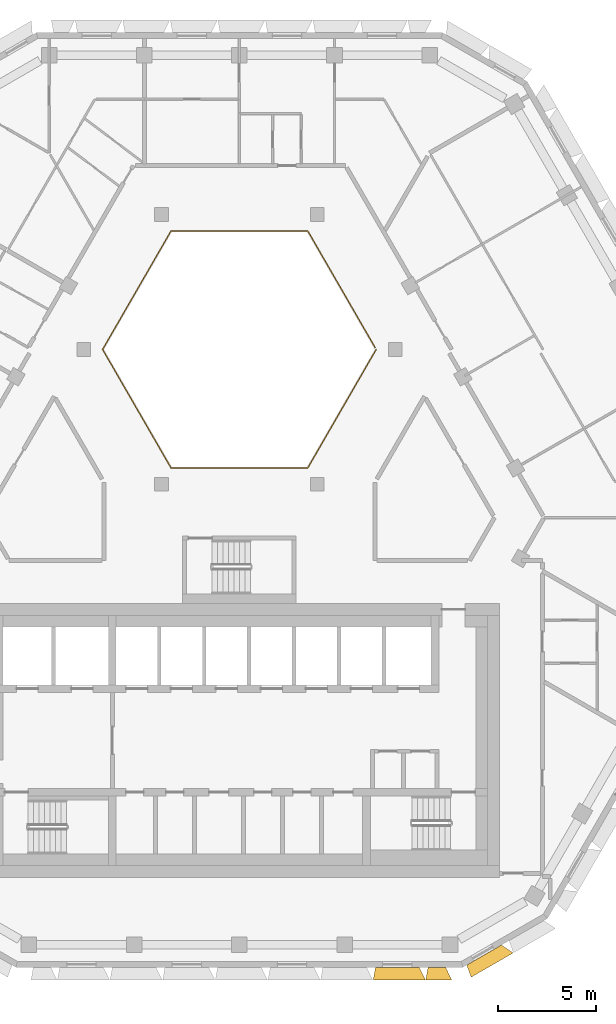
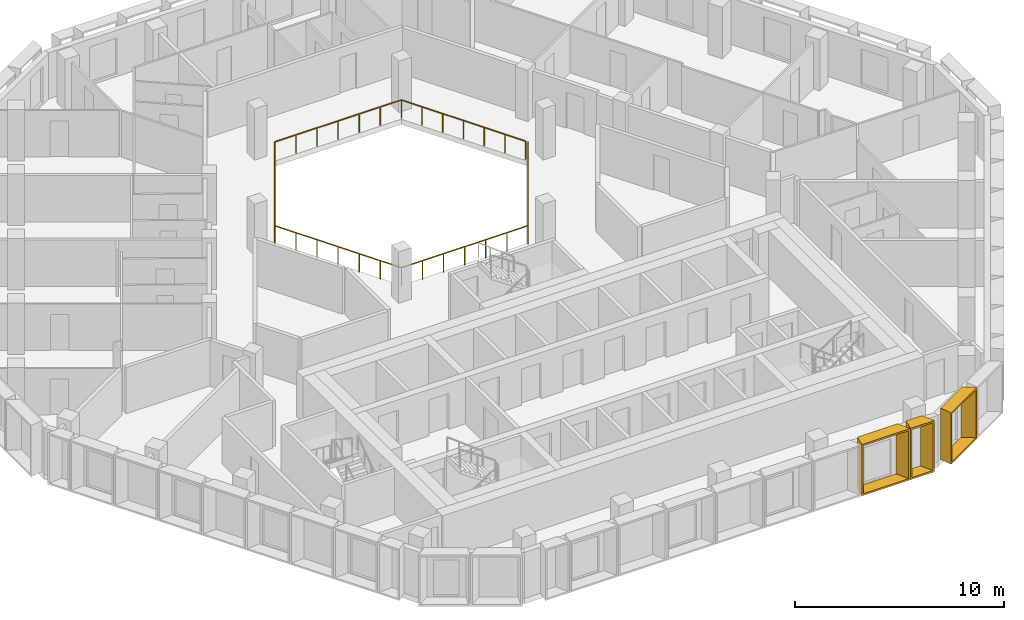
# One storey, part 13 of 15: 3 shading devices, 1 railing.
"""IFC4 building model written with IfcOpenShell, lengths in metres."""

from ifc_helpers import new_model, entity, si_unit, direction, frame, origin, origin_2d, place, context, subcontext, project, spatial, rectangle, extrude, source, transform, mapped, material, type_object, type_shapes, element, save


model = new_model("IFC4")

# Units and contexts
model_context = context("Model", 3, precision=1e-05, world=origin(), true_north=direction((0.0, 1.0)))
body_context = subcontext(model_context, "Body", "Model", "MODEL_VIEW")
ifc_project = project(units=[si_unit("LENGTHUNIT", "METRE"), si_unit("AREAUNIT", "SQUARE_METRE"), si_unit("VOLUMEUNIT", "CUBIC_METRE"), si_unit("PLANEANGLEUNIT", "RADIAN"), si_unit("MASSUNIT", "GRAM", prefix="KILO")], contexts=[model_context])

# Site, building, storey
site_placement = place(None, origin())
site = spatial("IfcSite", under=ifc_project, at=site_placement, CompositionType="ELEMENT")
building_placement = place(site_placement, origin())
building = spatial("IfcBuilding", under=site, at=building_placement, Name="Beryl Residences", CompositionType="ELEMENT")
storey_placement = place(building_placement, frame((0.0, 0.0, 175.199951171875)))
storey = spatial("IfcBuildingStorey", under=building, at=storey_placement, Name="L53", CompositionType="ELEMENT", Elevation=175.199951171875)

# Railing
ifc_material_1 = material(Name="Stainless steel balustrade with glass infill", Category="steel")
railing_type = type_object("IfcRailingType", Name="EG1 edge guard 1100 mm", PredefinedType="GUARDRAIL", material=ifc_material_1)
railing_placement = place(storey_placement, frame((6.9970703125, 8.0, 0.0)))
element("IfcRailing", 1, at=railing_placement, inside=storey, type_object=railing_type, Name="L53 atrium guard", PredefinedType="GUARDRAIL", context=body_context, shape_type="SweptSolid", body=[
    extrude(rectangle(XDim=0.048095703125, YDim=0.048095703125, at=origin_2d()), frame((0.0, 0.0, 1.076171875), z_axis=(-0.499921796684, -0.866070549782, 0.0), x_axis=(0.866070549782, -0.499921796684, 0.0)), (0.0, 0.0, 1.0), 6.9970703125),
    extrude(rectangle(XDim=0.048095703125, YDim=0.048095703125, at=origin_2d()), frame((-3.498046875, -6.06005859375, 1.076171875), z_axis=(-1.0, 0.0, 0.0), x_axis=(0.0, -1.0, 0.0)), (0.0, 0.0, 1.0), 6.998046875),
    extrude(rectangle(XDim=0.048095703125, YDim=0.048095703125, at=origin_2d()), frame((-10.49609375, -6.06005859375, 1.076171875), z_axis=(-0.499921796684, 0.866070549782, 0.0), x_axis=(-0.866070549782, -0.499921796684, 0.0)), (0.0, 0.0, 1.0), 6.9970703125),
    extrude(rectangle(XDim=0.048095703125, YDim=0.048095703125, at=origin_2d()), frame((-13.994140625, 0.0, 1.076171875), z_axis=(0.499921796684, 0.866070549782, 0.0), x_axis=(-0.866070549782, 0.499921796684, 0.0)), (0.0, 0.0, 1.0), 6.9970703125),
    extrude(rectangle(XDim=0.048095703125, YDim=0.048095703125, at=origin_2d()), frame((-10.49609375, 6.06005859375, 1.076171875), z_axis=(1.0, 0.0, 0.0), x_axis=(0.0, 1.0, 0.0)), (0.0, 0.0, 1.0), 6.998046875),
    extrude(rectangle(XDim=0.048095703125, YDim=0.048095703125, at=origin_2d()), frame((-3.498046875, 6.06005859375, 1.076171875), z_axis=(0.499919131929, -0.866072087953, 0.0), x_axis=(0.866072087953, 0.499919131929, 0.0)), (0.0, 0.0, 1.0), 6.877197265625),
    extrude(rectangle(XDim=0.0419921875, YDim=0.0419921875, at=origin_2d()), origin(), (0.0, 0.0, 1.0), 1.052001953125),
    extrude(rectangle(XDim=0.0419921875, YDim=0.0419921875, at=origin_2d()), frame((-0.5830078125, -1.010009765625, 0.0)), (0.0, 0.0, 1.0), 1.052001953125),
    extrude(rectangle(XDim=0.0419921875, YDim=0.0419921875, at=origin_2d()), frame((-1.166015625, -2.02001953125, 0.0)), (0.0, 0.0, 1.0), 1.052001953125),
    extrude(rectangle(XDim=0.0419921875, YDim=0.0419921875, at=origin_2d()), frame((-1.7490234375, -3.030029296875, 0.0)), (0.0, 0.0, 1.0), 1.052001953125),
    extrude(rectangle(XDim=0.0419921875, YDim=0.0419921875, at=origin_2d()), frame((-2.33203125, -4.0400390625, 0.0)), (0.0, 0.0, 1.0), 1.052001953125),
    extrude(rectangle(XDim=0.0419921875, YDim=0.0419921875, at=origin_2d()), frame((-2.9150390625, -5.050048828125, 0.0)), (0.0, 0.0, 1.0), 1.052001953125),
    extrude(rectangle(XDim=0.0419921875, YDim=0.0419921875, at=origin_2d()), frame((-3.498046875, -6.06005859375, 0.0)), (0.0, 0.0, 1.0), 1.052001953125),
    extrude(rectangle(XDim=0.0419921875, YDim=0.0419921875, at=origin_2d()), frame((-4.664306640625, -6.06005859375, 0.0)), (0.0, 0.0, 1.0), 1.052001953125),
    extrude(rectangle(XDim=0.0419921875, YDim=0.0419921875, at=origin_2d()), frame((-5.830810546875, -6.06005859375, 0.0)), (0.0, 0.0, 1.0), 1.052001953125),
    extrude(rectangle(XDim=0.0419921875, YDim=0.0419921875, at=origin_2d()), frame((-6.9970703125, -6.06005859375, 0.0)), (0.0, 0.0, 1.0), 1.052001953125),
    extrude(rectangle(XDim=0.0419921875, YDim=0.0419921875, at=origin_2d()), frame((-8.163330078125, -6.06005859375, 0.0)), (0.0, 0.0, 1.0), 1.052001953125),
    extrude(rectangle(XDim=0.0419921875, YDim=0.0419921875, at=origin_2d()), frame((-9.329833984375, -6.06005859375, 0.0)), (0.0, 0.0, 1.0), 1.052001953125),
    extrude(rectangle(XDim=0.0419921875, YDim=0.0419921875, at=origin_2d()), frame((-10.49609375, -6.06005859375, 0.0)), (0.0, 0.0, 1.0), 1.052001953125),
    extrude(rectangle(XDim=0.0419921875, YDim=0.0419921875, at=origin_2d()), frame((-11.0791015625, -5.050048828125, 0.0)), (0.0, 0.0, 1.0), 1.052001953125),
    extrude(rectangle(XDim=0.0419921875, YDim=0.0419921875, at=origin_2d()), frame((-11.662109375, -4.0400390625, 0.0)), (0.0, 0.0, 1.0), 1.052001953125),
    extrude(rectangle(XDim=0.0419921875, YDim=0.0419921875, at=origin_2d()), frame((-12.2451171875, -3.030029296875, 0.0)), (0.0, 0.0, 1.0), 1.052001953125),
    extrude(rectangle(XDim=0.0419921875, YDim=0.0419921875, at=origin_2d()), frame((-12.828125, -2.02001953125, 0.0)), (0.0, 0.0, 1.0), 1.052001953125),
    extrude(rectangle(XDim=0.0419921875, YDim=0.0419921875, at=origin_2d()), frame((-13.4111328125, -1.010009765625, 0.0)), (0.0, 0.0, 1.0), 1.052001953125),
    extrude(rectangle(XDim=0.0419921875, YDim=0.0419921875, at=origin_2d()), frame((-13.994140625, 0.0, 0.0)), (0.0, 0.0, 1.0), 1.052001953125),
    extrude(rectangle(XDim=0.0419921875, YDim=0.0419921875, at=origin_2d()), frame((-13.4111328125, 1.010009765625, 0.0)), (0.0, 0.0, 1.0), 1.052001953125),
    extrude(rectangle(XDim=0.0419921875, YDim=0.0419921875, at=origin_2d()), frame((-12.828125, 2.02001953125, 0.0)), (0.0, 0.0, 1.0), 1.052001953125),
    extrude(rectangle(XDim=0.0419921875, YDim=0.0419921875, at=origin_2d()), frame((-12.2451171875, 3.030029296875, 0.0)), (0.0, 0.0, 1.0), 1.052001953125),
    extrude(rectangle(XDim=0.0419921875, YDim=0.0419921875, at=origin_2d()), frame((-11.662109375, 4.0400390625, 0.0)), (0.0, 0.0, 1.0), 1.052001953125),
    extrude(rectangle(XDim=0.0419921875, YDim=0.0419921875, at=origin_2d()), frame((-11.0791015625, 5.050048828125, 0.0)), (0.0, 0.0, 1.0), 1.052001953125),
    extrude(rectangle(XDim=0.0419921875, YDim=0.0419921875, at=origin_2d()), frame((-10.49609375, 6.06005859375, 0.0)), (0.0, 0.0, 1.0), 1.052001953125),
    extrude(rectangle(XDim=0.0419921875, YDim=0.0419921875, at=origin_2d()), frame((-9.329833984375, 6.06005859375, 0.0)), (0.0, 0.0, 1.0), 1.052001953125),
    extrude(rectangle(XDim=0.0419921875, YDim=0.0419921875, at=origin_2d()), frame((-8.163330078125, 6.06005859375, 0.0)), (0.0, 0.0, 1.0), 1.052001953125),
    extrude(rectangle(XDim=0.0419921875, YDim=0.0419921875, at=origin_2d()), frame((-6.9970703125, 6.06005859375, 0.0)), (0.0, 0.0, 1.0), 1.052001953125),
    extrude(rectangle(XDim=0.0419921875, YDim=0.0419921875, at=origin_2d()), frame((-5.830810546875, 6.06005859375, 0.0)), (0.0, 0.0, 1.0), 1.052001953125),
    extrude(rectangle(XDim=0.0419921875, YDim=0.0419921875, at=origin_2d()), frame((-4.664306640625, 6.06005859375, 0.0)), (0.0, 0.0, 1.0), 1.052001953125),
    extrude(rectangle(XDim=0.0419921875, YDim=0.0419921875, at=origin_2d()), frame((-3.498046875, 6.06005859375, 0.0)), (0.0, 0.0, 1.0), 1.052001953125),
    extrude(rectangle(XDim=0.0419921875, YDim=0.0419921875, at=origin_2d()), frame((-2.925048828125, 5.0673828125, 0.0)), (0.0, 0.0, 1.0), 1.052001953125),
    extrude(rectangle(XDim=0.0419921875, YDim=0.0419921875, at=origin_2d()), frame((-2.35205078125, 4.07470703125, 0.0)), (0.0, 0.0, 1.0), 1.052001953125),
    extrude(rectangle(XDim=0.0419921875, YDim=0.0419921875, at=origin_2d()), frame((-1.779052734375, 3.08203125, 0.0)), (0.0, 0.0, 1.0), 1.052001953125),
    extrude(rectangle(XDim=0.0419921875, YDim=0.0419921875, at=origin_2d()), frame((-1.2060546875, 2.08935546875, 0.0)), (0.0, 0.0, 1.0), 1.052001953125),
    extrude(rectangle(XDim=0.0419921875, YDim=0.0419921875, at=origin_2d()), frame((-0.633056640625, 1.0966796875, 0.0)), (0.0, 0.0, 1.0), 1.052001953125),
    extrude(rectangle(XDim=0.0419921875, YDim=0.0419921875, at=origin_2d()), frame((-0.06005859375, 0.10400390625, 0.0)), (0.0, 0.0, 1.0), 1.052001953125),
])

# Shading devices
ifc_material_2 = material(Name="Aluminium pale anodised", Category="aluminium")
shading_device_type_1 = type_object("IfcShadingDeviceType", Name="FR135-65C OUTER SKIN frame 650 mm deep, splay 10/26 deg, 1350 x 3000 mm cell", PredefinedType="USERDEFINED", material=ifc_material_2)
cartesian_point_1 = entity("IfcCartesianPoint", [-0.448974609375, 0.0])
cartesian_point_2 = entity("IfcCartesianPoint", [-0.36767578125, 0.10009765625])
cartesian_point_3 = entity("IfcCartesianPoint", [-0.563720703125, 0.0])
cartesian_point_4 = entity("IfcCartesianPoint", [-0.482421875, 0.10009765625])
shared_shape_1 = source(origin(), body_context, "Body", "SweptSolid", [
    entity("IfcExtrudedAreaSolidTapered", entity("IfcArbitraryProfileDefWithVoids", "AREA", None, entity("IfcPolyline", [cartesian_point_1, entity("IfcCartesianPoint", [0.448974609375, 0.0]), entity("IfcCartesianPoint", [0.448974609375, 3.0]), entity("IfcCartesianPoint", [-0.448974609375, 3.0]), cartesian_point_1]), [entity("IfcPolyline", [cartesian_point_2, entity("IfcCartesianPoint", [0.360107421875, 0.10009765625]), entity("IfcCartesianPoint", [0.360107421875, 2.89990234375]), entity("IfcCartesianPoint", [-0.36767578125, 2.89990234375]), cartesian_point_2])]), entity("IfcAxis2Placement3D", entity("IfcCartesianPoint", [0.0, 0.0, 0.0]), entity("IfcDirection", [0.0, 1.0, 0.0]), entity("IfcDirection", [-1.0, 0.0, 0.0])), entity("IfcDirection", [0.0, 0.0, 1.0]), 0.64990234375, entity("IfcArbitraryProfileDefWithVoids", "AREA", None, entity("IfcPolyline", [cartesian_point_3, entity("IfcCartesianPoint", [0.76611328125, 0.0]), entity("IfcCartesianPoint", [0.76611328125, 3.0]), entity("IfcCartesianPoint", [-0.563720703125, 3.0]), cartesian_point_3]), [entity("IfcPolyline", [cartesian_point_4, entity("IfcCartesianPoint", [0.677001953125, 0.10009765625]), entity("IfcCartesianPoint", [0.677001953125, 2.89990234375]), entity("IfcCartesianPoint", [-0.482421875, 2.89990234375]), cartesian_point_4])])),
])
type_shapes(shading_device_type_1, [shared_shape_1])
shading_device_1_placement = place(storey_placement, frame((10.095947265625, -23.60009765625, 0.0), z_axis=(0.0, 0.0, 1.0), x_axis=(-1.0, 0.0, 0.0)))
element("IfcShadingDevice", 2, at=shading_device_1_placement, inside=storey, type_object=shading_device_type_1, Name="FR135-65C frame L53 S 9", ObjectType="OUTER SKIN", PredefinedType="USERDEFINED", context=body_context, shape_type="MappedRepresentation", body=[
    mapped(shared_shape_1, transform((0.0, 0.0, 0.0))),
])
ifc_material_3 = material(Name="Aluminium pale anodised", Category="aluminium")
shading_device_type_2 = type_object("IfcShadingDeviceType", Name="FR250-65C OUTER SKIN frame 650 mm deep, splay 10/26 deg, 2500 x 3000 mm cell", PredefinedType="USERDEFINED", material=ifc_material_3)
cartesian_point_5 = entity("IfcCartesianPoint", [-1.02392578125, 0.0])
cartesian_point_6 = entity("IfcCartesianPoint", [-0.94287109375, 0.10009765625])
cartesian_point_7 = entity("IfcCartesianPoint", [-1.138671875, 0.0])
cartesian_point_8 = entity("IfcCartesianPoint", [-1.057373046875, 0.10009765625])
shared_shape_2 = source(origin(), body_context, "Body", "SweptSolid", [
    entity("IfcExtrudedAreaSolidTapered", entity("IfcArbitraryProfileDefWithVoids", "AREA", None, entity("IfcPolyline", [cartesian_point_5, entity("IfcCartesianPoint", [1.02392578125, 0.0]), entity("IfcCartesianPoint", [1.02392578125, 3.0]), entity("IfcCartesianPoint", [-1.02392578125, 3.0]), cartesian_point_5]), [entity("IfcPolyline", [cartesian_point_6, entity("IfcCartesianPoint", [0.93505859375, 0.10009765625]), entity("IfcCartesianPoint", [0.93505859375, 2.89990234375]), entity("IfcCartesianPoint", [-0.94287109375, 2.89990234375]), cartesian_point_6])]), entity("IfcAxis2Placement3D", entity("IfcCartesianPoint", [0.0, 0.0, 0.0]), entity("IfcDirection", [0.0, 1.0, 0.0]), entity("IfcDirection", [-1.0, 0.0, 0.0])), entity("IfcDirection", [0.0, 0.0, 1.0]), 0.64990234375, entity("IfcArbitraryProfileDefWithVoids", "AREA", None, entity("IfcPolyline", [cartesian_point_7, entity("IfcCartesianPoint", [1.341064453125, 0.0]), entity("IfcCartesianPoint", [1.341064453125, 3.0]), entity("IfcCartesianPoint", [-1.138671875, 3.0]), cartesian_point_7]), [entity("IfcPolyline", [cartesian_point_8, entity("IfcCartesianPoint", [1.251953125, 0.10009765625]), entity("IfcCartesianPoint", [1.251953125, 2.89990234375]), entity("IfcCartesianPoint", [-1.057373046875, 2.89990234375]), cartesian_point_8])])),
])
type_shapes(shading_device_type_2, [shared_shape_2])
shading_device_2_placement = place(storey_placement, frame((12.513916015625, -22.97509765625, 0.0), z_axis=(0.0, 0.0, 1.0), x_axis=(-0.866025403784, -0.5, 0.0)))
element("IfcShadingDevice", 3, at=shading_device_2_placement, inside=storey, type_object=shading_device_type_2, Name="FR250-65C frame L53 S-SE 1", ObjectType="OUTER SKIN", PredefinedType="USERDEFINED", context=body_context, shape_type="MappedRepresentation", body=[
    mapped(shared_shape_2, transform((0.0, 0.0, 0.0))),
])
ifc_material_4 = material(Name="Aluminium pale anodised", Category="aluminium")
shading_device_type_3 = type_object("IfcShadingDeviceType", Name="FR269-65C OUTER SKIN frame 650 mm deep, splay 10/26 deg, 2690 x 3000 mm cell", PredefinedType="USERDEFINED", material=ifc_material_4)
cartesian_point_9 = entity("IfcCartesianPoint", [-1.118896484375, 0.0])
cartesian_point_10 = entity("IfcCartesianPoint", [-1.037841796875, 0.10009765625])
cartesian_point_11 = entity("IfcCartesianPoint", [-1.233642578125, 0.0])
cartesian_point_12 = entity("IfcCartesianPoint", [-1.15234375, 0.10009765625])
shared_shape_3 = source(origin(), body_context, "Body", "SweptSolid", [
    entity("IfcExtrudedAreaSolidTapered", entity("IfcArbitraryProfileDefWithVoids", "AREA", None, entity("IfcPolyline", [cartesian_point_9, entity("IfcCartesianPoint", [1.118896484375, 0.0]), entity("IfcCartesianPoint", [1.118896484375, 3.0]), entity("IfcCartesianPoint", [-1.118896484375, 3.0]), cartesian_point_9]), [entity("IfcPolyline", [cartesian_point_10, entity("IfcCartesianPoint", [1.030029296875, 0.10009765625]), entity("IfcCartesianPoint", [1.030029296875, 2.89990234375]), entity("IfcCartesianPoint", [-1.037841796875, 2.89990234375]), cartesian_point_10])]), entity("IfcAxis2Placement3D", entity("IfcCartesianPoint", [0.0, 0.0, 0.0]), entity("IfcDirection", [0.0, 1.0, 0.0]), entity("IfcDirection", [-1.0, 0.0, 0.0])), entity("IfcDirection", [0.0, 0.0, 1.0]), 0.64990234375, entity("IfcArbitraryProfileDefWithVoids", "AREA", None, entity("IfcPolyline", [cartesian_point_11, entity("IfcCartesianPoint", [1.43603515625, 0.0]), entity("IfcCartesianPoint", [1.43603515625, 3.0]), entity("IfcCartesianPoint", [-1.233642578125, 3.0]), cartesian_point_11]), [entity("IfcPolyline", [cartesian_point_12, entity("IfcCartesianPoint", [1.346923828125, 0.10009765625]), entity("IfcCartesianPoint", [1.346923828125, 2.89990234375]), entity("IfcCartesianPoint", [-1.15234375, 2.89990234375]), cartesian_point_12])])),
])
type_shapes(shading_device_type_3, [shared_shape_3])
shading_device_3_placement = place(storey_placement, frame((8.076904296875, -23.60009765625, 0.0), z_axis=(0.0, 0.0, 1.0), x_axis=(-1.0, 0.0, 0.0)))
element("IfcShadingDevice", 4, at=shading_device_3_placement, inside=storey, type_object=shading_device_type_3, Name="FR269-65C frame L53 S 8", ObjectType="OUTER SKIN", PredefinedType="USERDEFINED", context=body_context, shape_type="MappedRepresentation", body=[
    mapped(shared_shape_3, transform((0.0, 0.0, 0.0))),
])

save(model, "model.ifc")
